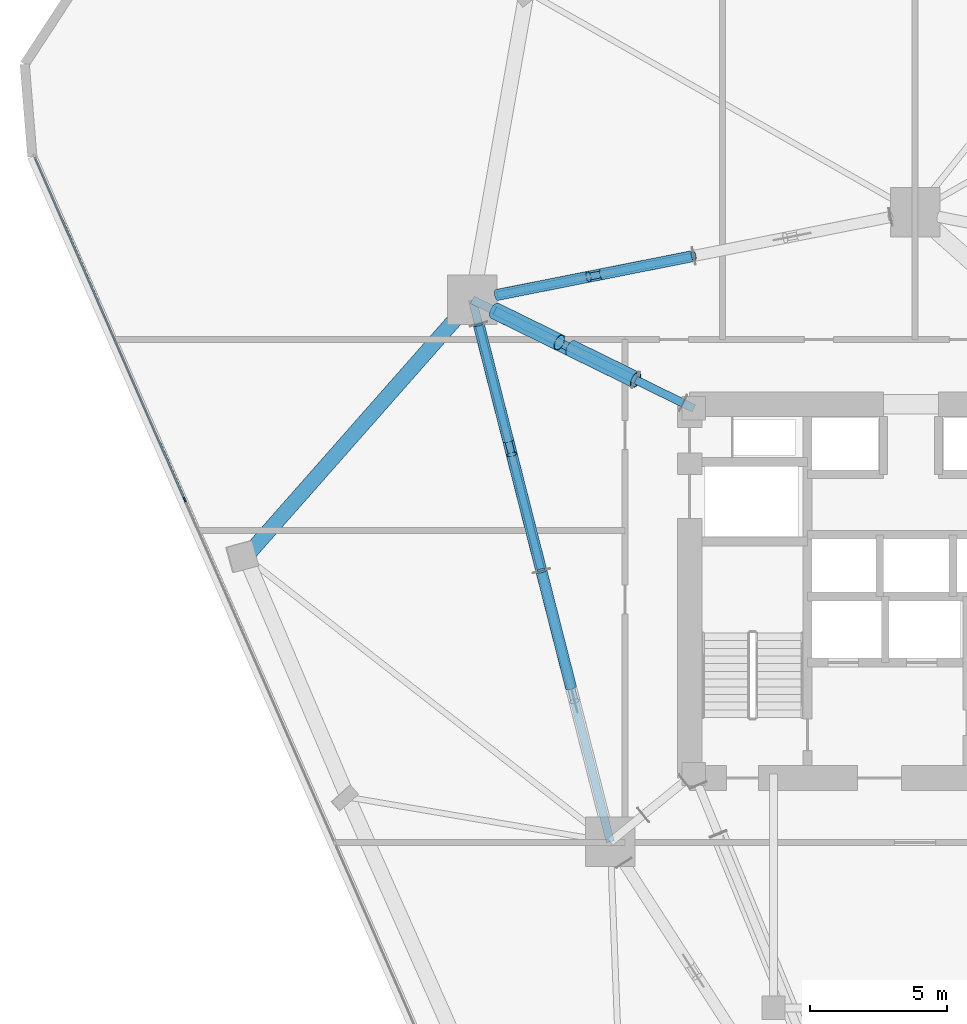
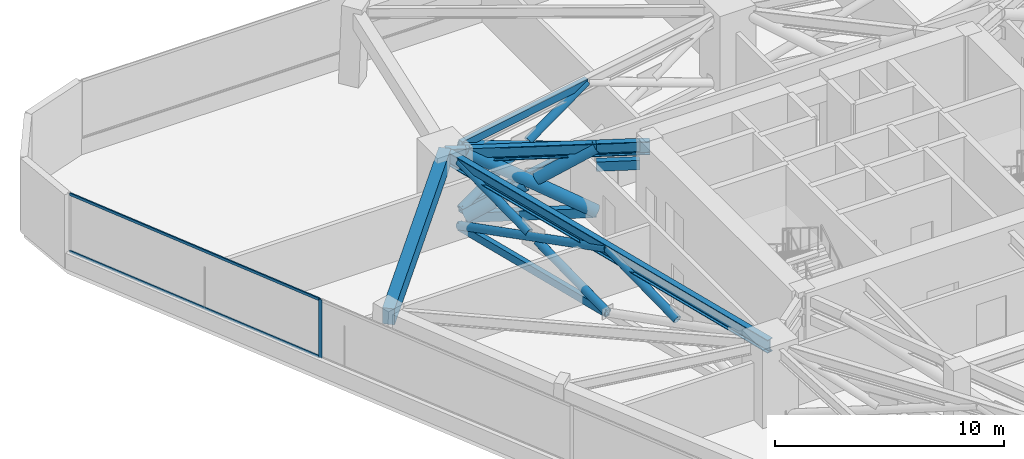
# One storey, part 8 of 20: 21 members, 3 beams, 1 element without a shape of its own.
"""IFC4 building model written with IfcOpenShell, lengths in metres."""

from ifc_helpers import new_model, si_unit, direction, frame, origin, origin_2d, place, context, subcontext, project, spatial, rectangle, hollow_rectangle, hollow_circle, i_section, extrude, material, layer, layer_set, material_profile, profile_set, type_object, element, aggregate, save


model = new_model("IFC4")

# Units and contexts
model_context = context("Model", 3, precision=1e-05, world=origin(), true_north=direction((0.0, 1.0)))
body_context = subcontext(model_context, "Body", "Model", "MODEL_VIEW")
ifc_project = project(units=[si_unit("LENGTHUNIT", "METRE"), si_unit("AREAUNIT", "SQUARE_METRE"), si_unit("VOLUMEUNIT", "CUBIC_METRE"), si_unit("PLANEANGLEUNIT", "RADIAN"), si_unit("MASSUNIT", "GRAM", prefix="KILO")], contexts=[model_context])

# Site, building, storey
site_placement = place(None, origin())
site = spatial("IfcSite", under=ifc_project, at=site_placement, CompositionType="ELEMENT")
building_placement = place(site_placement, origin())
building = spatial("IfcBuilding", under=site, at=building_placement, Name="Talyreon Biosciences Tower", CompositionType="ELEMENT")
storey_placement = place(building_placement, frame((0.0, 0.0, 70.800048828125)))
storey = spatial("IfcBuildingStorey", under=building, at=storey_placement, Name="L18", CompositionType="ELEMENT", Elevation=70.800048828125)

# Members
ifc_material_1 = material(Name="Steel SM355", Category="steel")
ifc_material_profile_1 = material_profile(ifc_material_1, hollow_circle(Radius=0.203125, WallThickness=0.01611328125, at=origin_2d()), Name="CHS 406.4x16")
ifc_profile_set_1 = profile_set([ifc_material_profile_1], Name="Steel SM355")
member_type_1 = type_object("IfcMemberType", Name="BeltBrace_CHS406", PredefinedType="BRACE", material=ifc_profile_set_1)
member_1_placement = place(storey_placement, frame((57.94873046875, 80.19384765625, 0.239990234375), z_axis=(-0.887525317323, -0.175834199663, 0.425888653686), x_axis=(0.194340124852, -0.98093420568, 0.0)))
element("IfcMember", 1, at=member_1_placement, inside=storey, type_object=member_type_1, Name="L18 Continuous Diagonal BELT-L18-B4S2A", PredefinedType="BRACE", context=body_context, shape_type="SweptSolid", body=[
    extrude(hollow_circle(Radius=0.203125, WallThickness=0.01611328125, at=origin_2d()), origin(), (0.0, 0.0, 1.0), 8.065673828125),
])
for number, where, z_axis, x_axis, name in (
    (2, (50.790283203125, 78.775634765625, 0.239990234375), (0.887542694608, 0.175843135932, 0.425848748729), (-0.194345967112, 0.980933048208, 0.0), "L18 Split Diagonal BELT-L18-B4S2B-Lower"),
    (3, (54.617919921875, 79.533935546875, 2.07666015625), (0.887518105706, 0.175838264291, 0.425902003816), (-0.194345967112, 0.980933048208, 0.0), "L18 Split Diagonal BELT-L18-B4S2B-Upper"),
):
    element("IfcMember", number, at=place(storey_placement, frame(where, z_axis=z_axis, x_axis=x_axis)), inside=storey, type_object=member_type_1, Name=name, PredefinedType="BRACE", context=body_context, shape_type="SweptSolid", body=[
        extrude(hollow_circle(Radius=0.203125, WallThickness=0.01611328125, at=origin_2d()), origin(), (0.0, 0.0, 1.0), 3.7529296875),
    ])
member_2_placement = place(storey_placement, frame((50.1220703125, 77.716796875, 0.239990234375), z_axis=(0.23115197416, -0.908668937551, 0.347691712255), x_axis=(0.969134278925, 0.246533465097, 0.0)))
element("IfcMember", 4, at=member_2_placement, inside=storey, type_object=member_type_1, Name="L18 Continuous Diagonal BELT-L18-B5S1A", PredefinedType="BRACE", context=body_context, shape_type="SweptSolid", body=[
    extrude(hollow_circle(Radius=0.203125, WallThickness=0.01611328125, at=origin_2d()), origin(), (0.0, 0.0, 1.0), 9.879638671875),
])
member_3_placement = place(storey_placement, frame((52.40576171875, 68.739501953125, 0.239990234375), z_axis=(-0.231151139103, 0.90867755136, 0.347669755006), x_axis=(-0.969135050079, -0.246530433634, 0.0)))
element("IfcMember", 5, at=member_3_placement, inside=storey, type_object=member_type_1, Name="L18 Split Diagonal BELT-L18-B5S1B-Lower", PredefinedType="BRACE", context=body_context, shape_type="SweptSolid", body=[
    extrude(hollow_circle(Radius=0.203125, WallThickness=0.01611328125, at=origin_2d()), origin(), (0.0, 0.0, 1.0), 4.659912109375),
])
for number, where, z_axis, x_axis, name in (
    (6, (51.19921875, 73.482666015625, 2.054931640625), (-0.231162143972, 0.908668418608, 0.347686307207), (-0.969131653737, -0.246543784598, 0.0), "L18 Split Diagonal BELT-L18-B5S1B-Upper"),
    (7, (53.48291015625, 64.50537109375, 2.054931640625), (-0.231162143972, 0.908668418608, 0.347686307207), (-0.969131653737, -0.246543784598, 0.0), "L18 Split Diagonal BELT-L18-B5S2B-Upper"),
):
    element("IfcMember", number, at=place(storey_placement, frame(where, z_axis=z_axis, x_axis=x_axis)), inside=storey, type_object=member_type_1, Name=name, PredefinedType="BRACE", context=body_context, shape_type="SweptSolid", body=[
        extrude(hollow_circle(Radius=0.203125, WallThickness=0.01611328125, at=origin_2d()), origin(), (0.0, 0.0, 1.0), 4.65966796875),
    ])
ifc_material_profile_2 = material_profile(ifc_material_1, hollow_rectangle(XDim=0.25, YDim=0.39990234375, WallThickness=0.01611328125, at=origin_2d()), Name="RHS 400x250x16")
ifc_profile_set_2 = profile_set([ifc_material_profile_2], Name="Steel SM355")
member_type_2 = type_object("IfcMemberType", Name="BeltChord_RHS400x250", PredefinedType="CHORD", material=ifc_profile_set_2)
for number, where, z_axis, x_axis, name in (
    (8, (57.94873046875, 80.19384765625, 0.239990234375), (-0.98093420568, -0.194340124852, 0.0), (0.194340124852, -0.98093420568, 0.0), "L18 Truss Bottom Chord BELT-L18-B4S2"),
    (9, (57.94873046875, 80.19384765625, 3.675048828125), (-0.98093420568, -0.194340124852, 0.0), (0.194340124852, -0.98093420568, 0.0), "L18 Truss Top Chord BELT-L18-B4S2"),
):
    element("IfcMember", number, at=place(storey_placement, frame(where, z_axis=z_axis, x_axis=x_axis)), inside=storey, type_object=member_type_2, Name=name, PredefinedType="CHORD", context=body_context, shape_type="SweptSolid", body=[
        extrude(hollow_rectangle(XDim=0.25, YDim=0.39990234375, WallThickness=0.01611328125, at=origin_2d()), origin(), (0.0, 0.0, 1.0), 7.297607421875),
    ])
for number, where, z_axis, x_axis, name in (
    (10, (50.1220703125, 77.716796875, 0.239990234375), (0.246533465097, -0.969134278925, 0.0), (0.969134278925, 0.246533465097, 0.0), "L18 Truss Bottom Chord BELT-L18-B5S1"),
    (11, (50.1220703125, 77.716796875, 3.675048828125), (0.246533465097, -0.969134278925, 0.0), (0.969134278925, 0.246533465097, 0.0), "L18 Truss Top Chord BELT-L18-B5S1"),
):
    element("IfcMember", number, at=place(storey_placement, frame(where, z_axis=z_axis, x_axis=x_axis)), inside=storey, type_object=member_type_2, Name=name, PredefinedType="CHORD", context=body_context, shape_type="SweptSolid", body=[
        extrude(hollow_rectangle(XDim=0.25, YDim=0.39990234375, WallThickness=0.01611328125, at=origin_2d()), origin(), (0.0, 0.0, 1.0), 9.26318359375),
    ])

# Curtain wall, members
ifc_material_2 = material(Name="Thermally broken aluminium and low-E glazing", Category="aluminium")
ifc_layer = layer(ifc_material_2, 0.195068359375)
ifc_layer_set = layer_set([ifc_layer], Name="Thermally broken aluminium and low-E glazing")
curtain_wall_type = type_object("IfcCurtainWallType", Name="CurtainWall_Zone1WetLab", PredefinedType="NOTDEFINED", material=ifc_layer_set)
curtain_wall_placement = place(storey_placement, origin())
curtain_wall = element("IfcCurtainWall", 12, at=curtain_wall_placement, inside=storey, type_object=curtain_wall_type, Name="L18 Unitised Curtain Wall FCW-L18-00", PredefinedType="NOTDEFINED")
ifc_material_3 = material(Name="Anodised thermally broken aluminium", Category="aluminium")
ifc_material_profile_3 = material_profile(ifc_material_3, rectangle(XDim=0.06494140625, YDim=0.179931640625, at=origin_2d()), Name="ALUM MULLION 65x180")
ifc_profile_set_3 = profile_set([ifc_material_profile_3], Name="Anodised thermally broken aluminium")
member_type_3 = type_object("IfcMemberType", Name="CWMullion_65x180", PredefinedType="MULLION", material=ifc_profile_set_3)
member_4_placement = place(storey_placement, frame((39.42919921875, 71.33251953125, 0.81005859375), z_axis=(0.0, 0.0, 1.0), x_axis=(-0.916151953082, -0.400831135099, 0.0)))
member_4 = element("IfcMember", 13, at=member_4_placement, type_object=member_type_3, Name="CW2 mullion 5", PredefinedType="MULLION", context=body_context, shape_type="SweptSolid", body=[
    extrude(rectangle(XDim=0.06494140625, YDim=0.179931640625, at=origin_2d()), origin(), (0.0, 0.0, 1.0), 3.114990234375),
])
ifc_material_profile_4 = material_profile(ifc_material_3, rectangle(XDim=0.06494140625, YDim=0.139892578125, at=origin_2d()), Name="ALUM TRANSOM 65x140")
ifc_profile_set_4 = profile_set([ifc_material_profile_4], Name="Anodised thermally broken aluminium")
member_type_4 = type_object("IfcMemberType", Name="CWTransom_65x140", PredefinedType="USERDEFINED", material=ifc_profile_set_4)
member_5_placement = place(storey_placement, frame((39.416259765625, 71.362060546875, 0.842529296875), z_axis=(-0.400830177027, 0.916152372253, 0.0), x_axis=(-0.916152372253, -0.400830177027, 0.0)))
member_5 = element("IfcMember", 14, at=member_5_placement, type_object=member_type_4, Name="CW2 transom 5.1", ObjectType="TRANSOM", PredefinedType="USERDEFINED", context=body_context, shape_type="SweptSolid", body=[
    extrude(rectangle(XDim=0.06494140625, YDim=0.139892578125, at=origin_2d()), origin(), (0.0, 0.0, 1.0), 13.549072265625),
])
member_6_placement = place(storey_placement, frame((39.416259765625, 71.362060546875, 3.892333984375), z_axis=(-0.400830177027, 0.916152372253, 0.0), x_axis=(-0.916152372253, -0.400830177027, 0.0)))
member_6 = element("IfcMember", 15, at=member_6_placement, type_object=member_type_4, Name="CW2 transom 5.2", ObjectType="TRANSOM", PredefinedType="USERDEFINED", context=body_context, shape_type="SweptSolid", body=[
    extrude(rectangle(XDim=0.06494140625, YDim=0.139892578125, at=origin_2d()), origin(), (0.0, 0.0, 1.0), 13.549072265625),
])
aggregate(curtain_wall, [member_4, member_5, member_6])

# Beam
ifc_material_4 = material(Name="Precast concrete C45/55", Category="concrete")
ifc_material_profile_5 = material_profile(ifc_material_4, rectangle(XDim=0.550048828125, YDim=0.85009765625, at=origin_2d()), Name="RCB 550x850")
ifc_profile_set_5 = profile_set([ifc_material_profile_5], Name="Precast concrete C45/55")
beam_type_1 = type_object("IfcBeamType", Name="ExpressedSpandrel_550x850", PredefinedType="SPANDREL", material=ifc_profile_set_5)
beam_1_placement = place(storey_placement, frame((49.897705078125, 78.5986328125, 3.5), z_axis=(-0.661321934163, -0.750102192634, 0.0), x_axis=(0.750102192634, -0.661321934163, 0.0)))
element("IfcBeam", 16, at=beam_1_placement, inside=storey, type_object=beam_type_1, Name="L18 Expressed Horizontal Concrete Spandrel 09", PredefinedType="SPANDREL", context=body_context, shape_type="SweptSolid", body=[
    extrude(rectangle(XDim=0.550048828125, YDim=0.85009765625, at=origin_2d()), origin(), (0.0, 0.0, 1.0), 12.4765625),
])

# Members
ifc_material_profile_6 = material_profile(ifc_material_1, hollow_circle(Radius=0.304931640625, WallThickness=0.02490234375, at=origin_2d()), Name="CHS 610x25")
ifc_profile_set_6 = profile_set([ifc_material_profile_6], Name="Steel SM355")
member_type_5 = type_object("IfcMemberType", Name="OutriggerBrace_CHS610", PredefinedType="BRACE", material=ifc_profile_set_6)
member_7_placement = place(storey_placement, frame((55.840087890625, 75.684814453125, 0.239990234375), z_axis=(-0.769326214219, 0.377224161626, 0.515595876634), x_axis=(-0.440254576107, -0.897872991139, 0.0)))
element("IfcMember", 17, at=member_7_placement, inside=storey, type_object=member_type_5, Name="L18 Continuous Diagonal OUT-L18-R5A", PredefinedType="BRACE", context=body_context, shape_type="SweptSolid", body=[
    extrude(hollow_circle(Radius=0.304931640625, WallThickness=0.02490234375, at=origin_2d()), origin(), (0.0, 0.0, 1.0), 6.662353515625),
])
for number, where, z_axis, x_axis, name in (
    (18, (50.714599609375, 78.197998046875, 0.239990234375), (0.769343544585, -0.377270391338, 0.515536189055), (0.440290075653, 0.897855583756, 0.0), "L18 Split Diagonal OUT-L18-R5B-Lower"),
    (19, (53.49267578125, 76.835693359375, 2.101806640625), (0.769335028301, -0.377186201083, 0.515610496346), (0.440214792646, 0.897892497093, 0.0), "L18 Split Diagonal OUT-L18-R5B-Upper"),
):
    element("IfcMember", number, at=place(storey_placement, frame(where, z_axis=z_axis, x_axis=x_axis)), inside=storey, type_object=member_type_5, Name=name, PredefinedType="BRACE", context=body_context, shape_type="SweptSolid", body=[
        extrude(hollow_circle(Radius=0.304931640625, WallThickness=0.02490234375, at=origin_2d()), origin(), (0.0, 0.0, 1.0), 3.05126953125),
    ])
ifc_material_profile_7 = material_profile(ifc_material_1, hollow_rectangle(XDim=0.300048828125, YDim=0.5, WallThickness=0.02001953125, at=origin_2d()), Name="RHS 500x300x20")
ifc_profile_set_7 = profile_set([ifc_material_profile_7], Name="Steel SM355")
member_type_6 = type_object("IfcMemberType", Name="OutriggerChord_RHS500x300", PredefinedType="CHORD", material=ifc_profile_set_7)
for number, where, z_axis, x_axis, name in (
    (20, (57.559326171875, 74.841552734375, 3.675048828125), (-0.897817943666, 0.4403668244, 0.0), (-0.4403668244, -0.897817943666, 0.0), "L18 Outrigger Core Top Tie 5"),
    (21, (57.559326171875, 74.841552734375, 2.699951171875), (-0.897817943666, 0.4403668244, 0.0), (-0.4403668244, -0.897817943666, 0.0), "L18 Outrigger Core Plenum Tie 5"),
):
    element("IfcMember", number, at=place(storey_placement, frame(where, z_axis=z_axis, x_axis=x_axis)), inside=storey, type_object=member_type_6, Name=name, PredefinedType="CHORD", context=body_context, shape_type="SweptSolid", body=[
        extrude(hollow_rectangle(XDim=0.300048828125, YDim=0.5, WallThickness=0.02001953125, at=origin_2d()), origin(), (0.0, 0.0, 1.0), 1.914794921875),
    ])
for number, where, z_axis, x_axis, name in (
    (22, (55.840087890625, 75.684814453125, 0.239990234375), (-0.897872991139, 0.440254576107, 0.0), (-0.440254576107, -0.897872991139, 0.0), "L18 Truss Bottom Chord OUT-L18-R5"),
    (23, (55.840087890625, 75.684814453125, 3.675048828125), (-0.897872991139, 0.440254576107, 0.0), (-0.440254576107, -0.897872991139, 0.0), "L18 Truss Top Chord OUT-L18-R5"),
):
    element("IfcMember", number, at=place(storey_placement, frame(where, z_axis=z_axis, x_axis=x_axis)), inside=storey, type_object=member_type_6, Name=name, PredefinedType="CHORD", context=body_context, shape_type="SweptSolid", body=[
        extrude(hollow_rectangle(XDim=0.300048828125, YDim=0.5, WallThickness=0.02001953125, at=origin_2d()), origin(), (0.0, 0.0, 1.0), 5.70849609375),
    ])

# Beams
ifc_material_profile_8 = material_profile(ifc_material_1, i_section(OverallWidth=0.300048828125, OverallDepth=0.699951171875, WebThickness=0.01708984375, FlangeThickness=0.031982421875, FilletRadius=0.027099609375, at=origin_2d()), Name="HE700B")
ifc_profile_set_8 = profile_set([ifc_material_profile_8], Name="Steel SM355")
beam_type_2 = type_object("IfcBeamType", Name="SteelGirder_HE700B", PredefinedType="BEAM", material=ifc_profile_set_8)
beam_2_placement = place(storey_placement, frame((49.897705078125, 78.5986328125, 3.574951171875), z_axis=(0.246537082299, -0.969133358755, 0.0), x_axis=(0.969133358755, 0.246537082299, 0.0)))
element("IfcBeam", 24, at=beam_2_placement, inside=storey, type_object=beam_type_2, Name="L18 Mega-Ring Girder 5", PredefinedType="BEAM", context=body_context, shape_type="SweptSolid", body=[
    extrude(i_section(OverallWidth=0.300048828125, OverallDepth=0.699951171875, WebThickness=0.01708984375, FlangeThickness=0.031982421875, FilletRadius=0.027099609375, at=origin_2d()), origin(), (0.0, 0.0, 1.0), 20.34619140625),
])
beam_3_placement = place(storey_placement, frame((57.949951171875, 74.64990234375, 3.574951171875), z_axis=(-0.897852360314, 0.440296648952, 0.0), x_axis=(-0.440296648952, -0.897852360314, 0.0)))
element("IfcBeam", 25, at=beam_3_placement, inside=storey, type_object=beam_type_2, Name="L18 Radial Primary Girder 5", PredefinedType="BEAM", context=body_context, shape_type="SweptSolid", body=[
    extrude(i_section(OverallWidth=0.300048828125, OverallDepth=0.699951171875, WebThickness=0.01708984375, FlangeThickness=0.031982421875, FilletRadius=0.027099609375, at=origin_2d()), origin(), (0.0, 0.0, 1.0), 8.96826171875),
])

save(model, "model.ifc")
